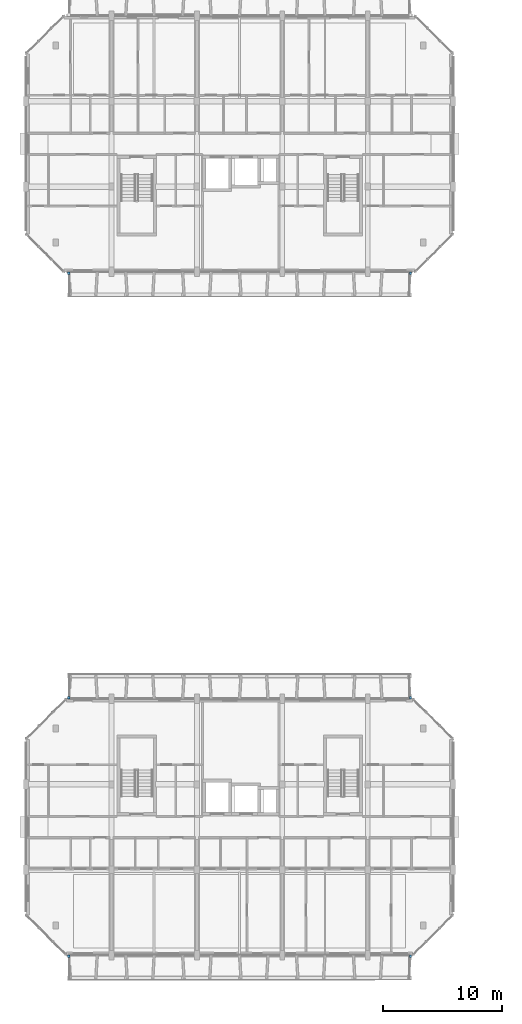
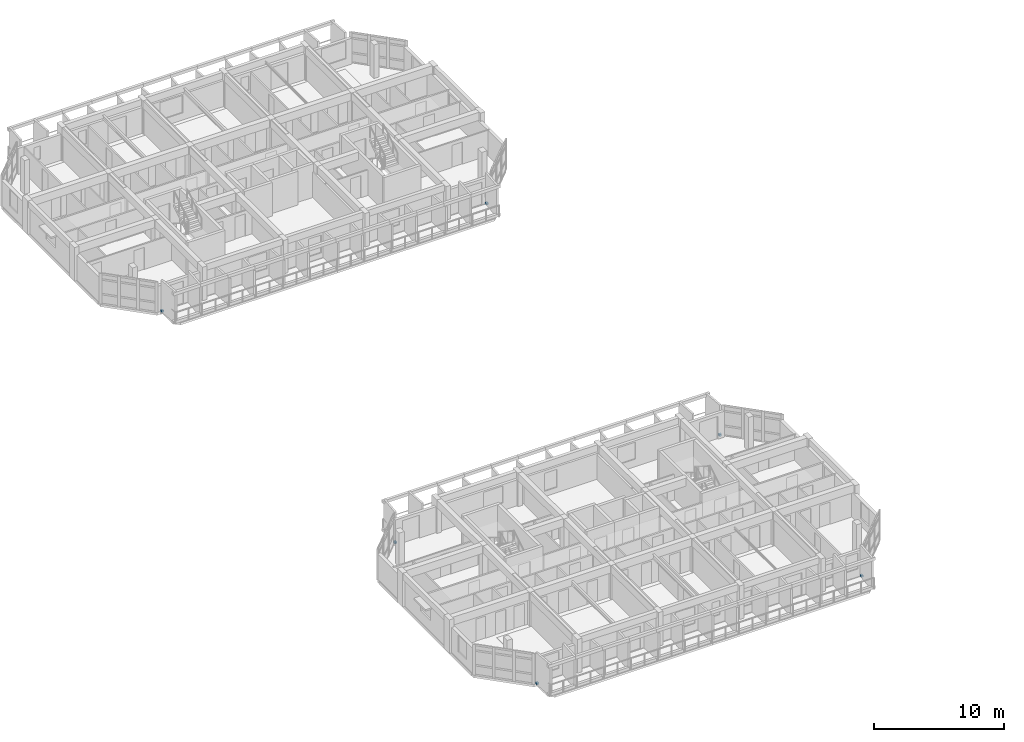
# One storey, part 31 of 45: 6 discrete accessories.
"""IFC4 building model written with IfcOpenShell, lengths in metres."""

from ifc_helpers import new_model, si_unit, direction, frame, origin, origin_2d, place, context, subcontext, project, spatial, rectangle, extrude, material, type_object, element, save


model = new_model("IFC4")

# Units and contexts
model_context = context("Model", 3, precision=1e-05, world=origin(), true_north=direction((0.0, 1.0)))
body_context = subcontext(model_context, "Body", "Model", "MODEL_VIEW")
ifc_project = project(units=[si_unit("LENGTHUNIT", "METRE"), si_unit("AREAUNIT", "SQUARE_METRE"), si_unit("VOLUMEUNIT", "CUBIC_METRE"), si_unit("PLANEANGLEUNIT", "RADIAN"), si_unit("MASSUNIT", "GRAM", prefix="KILO")], contexts=[model_context])

# Site, building, storey
site_placement = place(None, origin())
site = spatial("IfcSite", under=ifc_project, at=site_placement, CompositionType="ELEMENT")
building_placement = place(site_placement, origin())
building = spatial("IfcBuilding", under=site, at=building_placement, Name="Ochrevale Crest", CompositionType="ELEMENT")
storey_placement = place(building_placement, frame((0.0, 0.0, 18.14990234375)))
storey = spatial("IfcBuildingStorey", under=building, at=storey_placement, Name="L05", CompositionType="ELEMENT", Elevation=18.14990234375)

# Discrete accessories
ifc_material = material(Name="Galvanised steel", Category="steel")
discrete_accessory_type = type_object("IfcDiscreteAccessoryType", Name="ACC-BRK-HC", PredefinedType="BRACKET", material=ifc_material)
for number, where, z_axis, x_axis, name in (
    (1, (3.60009765625, 14.300048828125, 0.0), (0.0, 0.0, 1.0), (1.0, 0.0, 0.0), "Block A L05 precast loggia corbel bracket"),
    (2, (32.39990234375, 14.300048828125, 0.0), (0.0, 0.0, 1.0), (1.0, 0.0, 0.0), "Block A L05 precast loggia corbel bracket"),
    (3, (3.60009765625, 36.10009765625, 0.0), (0.0, 0.0, 1.0), (1.0, 0.0, 0.0), "Block A L05 precast loggia corbel bracket"),
    (4, (32.39990234375, 36.10009765625, 0.0), (0.0, 0.0, 1.0), (1.0, 0.0, 0.0), "Block A L05 precast loggia corbel bracket"),
    (5, (3.60009765625, 71.89990234375, 0.0), (0.0, 0.0, 1.0), (1.0, 0.0, 0.0), "Block B L05 precast loggia corbel bracket"),
    (6, (32.39990234375, 71.89990234375, 0.0), (0.0, 0.0, 1.0), (1.0, 0.0, 0.0), "Block B L05 precast loggia corbel bracket"),
):
    element("IfcDiscreteAccessory", number, at=place(storey_placement, frame(where, z_axis=z_axis, x_axis=x_axis)), inside=storey, type_object=discrete_accessory_type, Name=name, PredefinedType="BRACKET", context=body_context, shape_type="SweptSolid", body=[
        extrude(rectangle(XDim=0.179931640625, YDim=0.219970703125, at=origin_2d()), origin(), (0.0, 0.0, 1.0), 0.179931640625),
    ])

save(model, "model.ifc")
